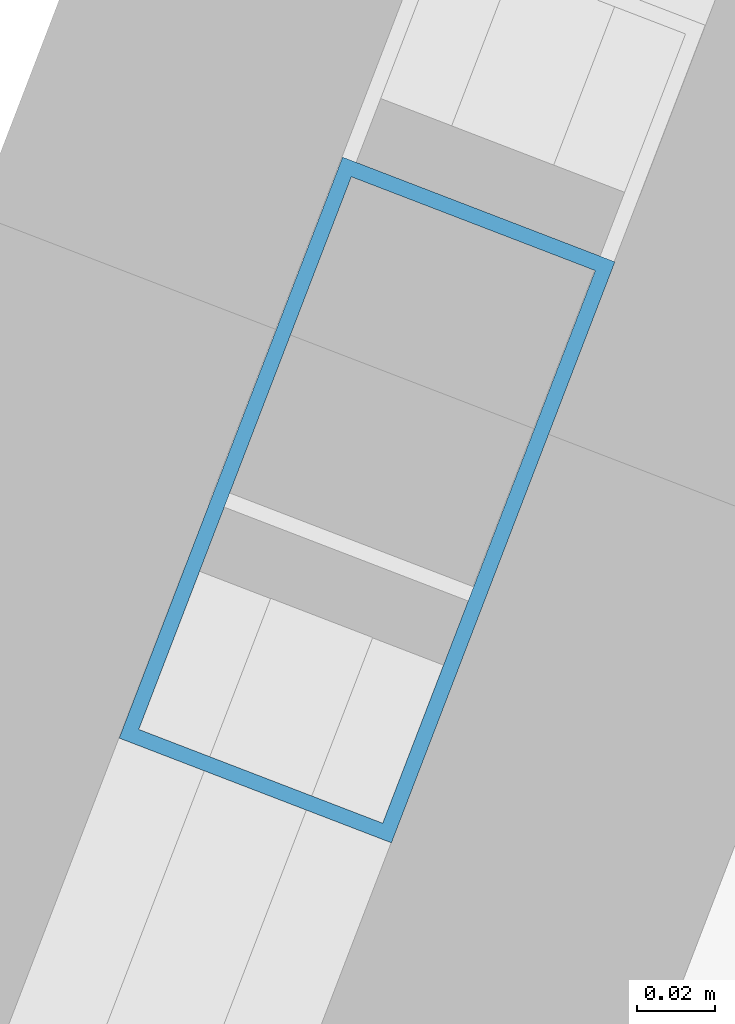
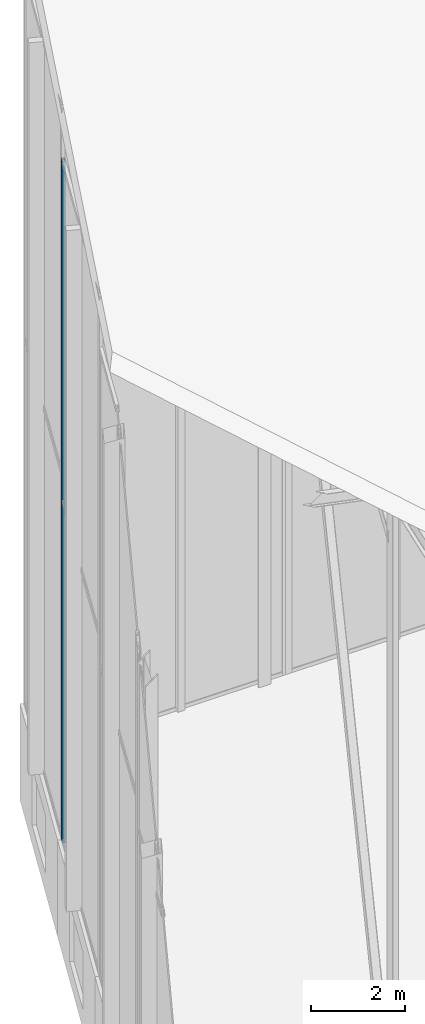
# One storey, part 31 of 74: 1 member, 1 element without a shape of its own.
"""IFC4 building model written with IfcOpenShell, lengths in metres."""

from ifc_helpers import new_model, si_unit, direction, frame, origin, origin_2d, place, context, subcontext, project, spatial, hollow_rectangle, extrude, material, layer, layer_set, material_profile, profile_set, type_object, element, aggregate, save


model = new_model("IFC4")

# Units and contexts
model_context = context("Model", 3, precision=1e-05, world=origin(), true_north=direction((0.0, 1.0)))
body_context = subcontext(model_context, "Body", "Model", "MODEL_VIEW")
ifc_project = project(units=[si_unit("LENGTHUNIT", "METRE"), si_unit("AREAUNIT", "SQUARE_METRE"), si_unit("VOLUMEUNIT", "CUBIC_METRE"), si_unit("PLANEANGLEUNIT", "RADIAN"), si_unit("MASSUNIT", "GRAM", prefix="KILO")], contexts=[model_context])

# Site, building, storey
site_placement = place(None, origin())
site = spatial("IfcSite", under=ifc_project, at=site_placement, CompositionType="ELEMENT")
building_placement = place(site_placement, origin())
building = spatial("IfcBuilding", under=site, at=building_placement, Name="Keshet Zoharim Tower", CompositionType="ELEMENT")
storey_placement = place(building_placement, frame((0.0, 0.0, 320.0)))
storey = spatial("IfcBuildingStorey", under=building, at=storey_placement, Name="RF", CompositionType="ELEMENT", Elevation=320.0)

# Curtain wall, member
ifc_material = material(Name="Aluminium 6063-T6", Category="aluminium")
ifc_layer = layer(ifc_material, 0.260009765625)
ifc_layer_set = layer_set([ifc_layer], Name="Aluminium 6063-T6")
curtain_wall_type = type_object("IfcCurtainWallType", Name="CW-SYS-06", PredefinedType="NOTDEFINED", material=ifc_layer_set)
curtain_wall_placement = place(storey_placement, origin())
curtain_wall = element("IfcCurtainWall", 1, at=curtain_wall_placement, inside=storey, type_object=curtain_wall_type, Name="Slanted Crown Curtain Wall 07", PredefinedType="NOTDEFINED")
ifc_material_profile = material_profile(ifc_material, hollow_rectangle(XDim=0.074951171875, YDim=0.159912109375, WallThickness=0.00390625, at=origin_2d()), Name="MUL-75x160")
ifc_profile_set = profile_set([ifc_material_profile], Name="Aluminium 6063-T6")
member_type = type_object("IfcMemberType", Name="CWM-M15", PredefinedType="MULLION", material=ifc_profile_set)
member_placement = place(storey_placement, frame((12.660400390625, 47.816650390625, 2.5), z_axis=(0.0, 0.0, 1.0), x_axis=(-0.933345606206, 0.358979079302, 0.0)))
member = element("IfcMember", 2, at=member_placement, type_object=member_type, Name="CW-06 mullion 3", PredefinedType="MULLION", context=body_context, shape_type="SweptSolid", body=[
    extrude(hollow_rectangle(XDim=0.074951171875, YDim=0.159912109375, WallThickness=0.00390625, at=origin_2d()), origin(), (0.0, 0.0, 1.0), 17.634033203125),
])
aggregate(curtain_wall, [member])

save(model, "model.ifc")
